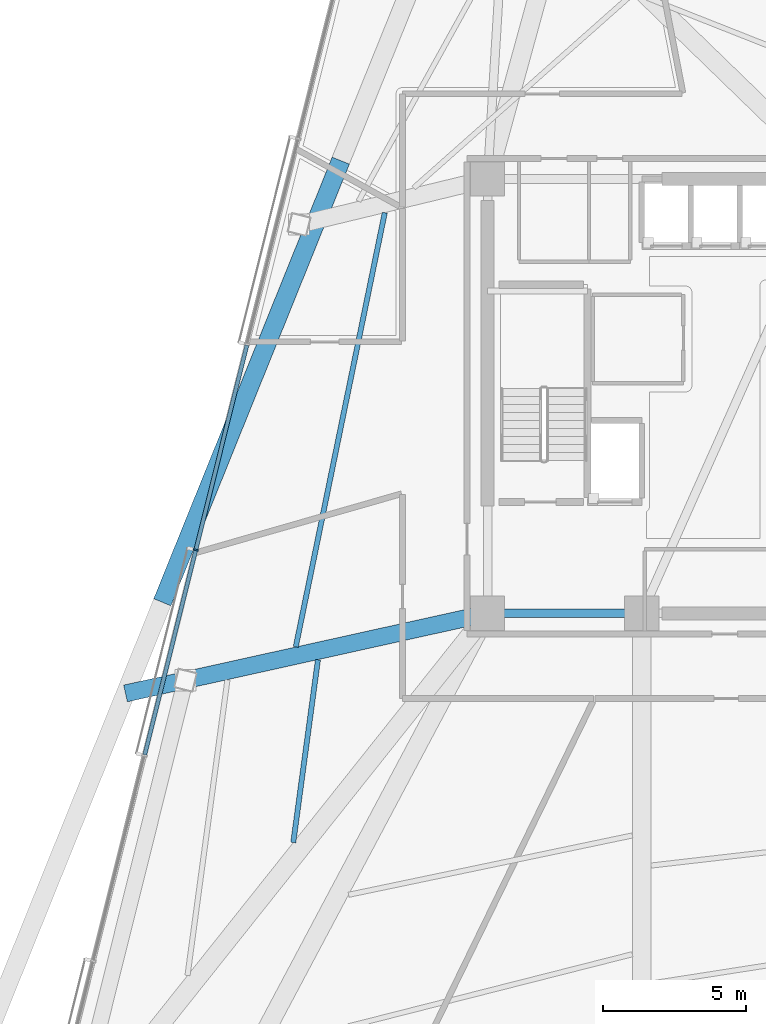
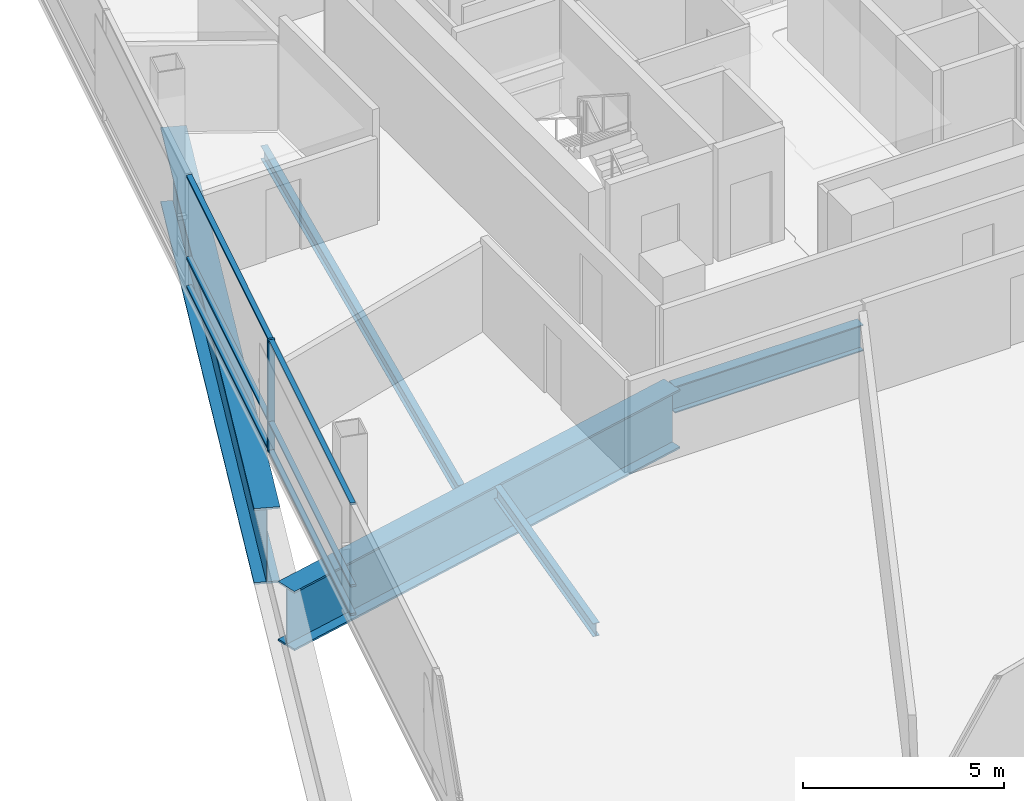
# One storey, part 4 of 21: 7 members, 5 beams, 1 element without a shape of its own.
"""IFC4 building model written with IfcOpenShell, lengths in metres."""

from ifc_helpers import new_model, si_unit, direction, frame, origin, origin_2d, place, context, subcontext, project, spatial, rectangle, i_section, extrude, material, layer, layer_set, material_profile, profile_set, type_object, element, aggregate, save


model = new_model("IFC4")

# Units and contexts
model_context = context("Model", 3, precision=1e-05, world=origin(), true_north=direction((0.0, 1.0)))
body_context = subcontext(model_context, "Body", "Model", "MODEL_VIEW")
ifc_project = project(units=[si_unit("LENGTHUNIT", "METRE"), si_unit("AREAUNIT", "SQUARE_METRE"), si_unit("VOLUMEUNIT", "CUBIC_METRE"), si_unit("PLANEANGLEUNIT", "RADIAN"), si_unit("MASSUNIT", "GRAM", prefix="KILO")], contexts=[model_context])

# Site, building, storey
site_placement = place(None, origin())
site = spatial("IfcSite", under=ifc_project, at=site_placement, CompositionType="ELEMENT")
building_placement = place(site_placement, origin())
building = spatial("IfcBuilding", under=site, at=building_placement, Name="Tharavind Bronze Gate", CompositionType="ELEMENT")
storey_placement = place(building_placement, frame((0.0, 0.0, 86.10009765625)))
storey = spatial("IfcBuildingStorey", under=building, at=storey_placement, Name="L21", CompositionType="ELEMENT", Elevation=86.10009765625)

# Curtain wall, members
ifc_material_1 = material(Name="Anodised Bronze Aluminium", Category="aluminium")
ifc_layer = layer(ifc_material_1, 0.219970703125)
ifc_layer_set = layer_set([ifc_layer], Name="Anodised Bronze Aluminium")
curtain_wall_type = type_object("IfcCurtainWallType", Name="UNITISED CURTAIN WALL LOWER OFFICE", PredefinedType="USERDEFINED", material=ifc_layer_set)
curtain_wall_placement = place(storey_placement, origin())
curtain_wall = element("IfcCurtainWall", 1, at=curtain_wall_placement, inside=storey, type_object=curtain_wall_type, Name="L21 unitised curtain wall lower office CW-L21-S1", ObjectType="UNITISED CURTAIN WALL", PredefinedType="USERDEFINED")
member_type_1 = type_object("IfcMemberType", Name="CURTAIN WALL BRONZE MULLION 65X180", PredefinedType="MULLION", material=ifc_material_1)
member_1_placement = place(storey_placement, frame((-19.1083984375, -5.381591796875, 0.0), z_axis=(0.0, 0.0, 1.0), x_axis=(-0.2419218956, -0.970295726276, 0.0)))
member_1 = element("IfcMember", 2, at=member_1_placement, type_object=member_type_1, Name="CW-L21-S1 mullion 5", PredefinedType="MULLION", context=body_context, shape_type="SweptSolid", body=[
    extrude(rectangle(XDim=0.06494140625, YDim=0.179931640625, at=origin_2d()), origin(), (0.0, 0.0, 1.0), 3.409912109375),
])
member_type_2 = type_object("IfcMemberType", Name="CURTAIN WALL BRONZE TRANSOM 65X140", PredefinedType="USERDEFINED", material=ifc_material_1)
member_2_placement = place(storey_placement, frame((-18.21142578125, -1.78466796875, 0.0), z_axis=(0.0, 0.0, 1.0), x_axis=(-0.2419218956, -0.970295726276, 0.0)))
member_2 = element("IfcMember", 3, at=member_2_placement, type_object=member_type_2, Name="CW-L21-S1 transom TB4", ObjectType="TRANSOM", PredefinedType="USERDEFINED", context=body_context, shape_type="SweptSolid", body=[
    extrude(rectangle(XDim=7.361083984375, YDim=0.139892578125, at=origin_2d()), origin(), (0.0, 0.0, 1.0), 0.06494140625),
])
member_3_placement = place(storey_placement, frame((-18.21142578125, -1.78466796875, 0.867431640625), z_axis=(0.0, 0.0, 1.0), x_axis=(-0.2419218956, -0.970295726276, 0.0)))
member_3 = element("IfcMember", 4, at=member_3_placement, type_object=member_type_2, Name="CW-L21-S1 transom TS4", ObjectType="TRANSOM", PredefinedType="USERDEFINED", context=body_context, shape_type="SweptSolid", body=[
    extrude(rectangle(XDim=7.361083984375, YDim=0.139892578125, at=origin_2d()), origin(), (0.0, 0.0, 1.0), 0.06494140625),
])
member_4_placement = place(storey_placement, frame((-18.21142578125, -1.78466796875, 3.344970703125), z_axis=(0.0, 0.0, 1.0), x_axis=(-0.2419218956, -0.970295726276, 0.0)))
member_4 = element("IfcMember", 5, at=member_4_placement, type_object=member_type_2, Name="CW-L21-S1 transom TT4", ObjectType="TRANSOM", PredefinedType="USERDEFINED", context=body_context, shape_type="SweptSolid", body=[
    extrude(rectangle(XDim=7.361083984375, YDim=0.139892578125, at=origin_2d()), origin(), (0.0, 0.0, 1.0), 0.06494140625),
])
member_5_placement = place(storey_placement, frame((-20.005126953125, -8.978759765625, 0.0), z_axis=(0.0, 0.0, 1.0), x_axis=(-0.2419218956, -0.970295726276, 0.0)))
member_5 = element("IfcMember", 6, at=member_5_placement, type_object=member_type_2, Name="CW-L21-S1 transom TB5", ObjectType="TRANSOM", PredefinedType="USERDEFINED", context=body_context, shape_type="SweptSolid", body=[
    extrude(rectangle(XDim=7.361083984375, YDim=0.139892578125, at=origin_2d()), origin(), (0.0, 0.0, 1.0), 0.06494140625),
])
member_6_placement = place(storey_placement, frame((-20.005126953125, -8.978759765625, 0.867431640625), z_axis=(0.0, 0.0, 1.0), x_axis=(-0.2419218956, -0.970295726276, 0.0)))
member_6 = element("IfcMember", 7, at=member_6_placement, type_object=member_type_2, Name="CW-L21-S1 transom TS5", ObjectType="TRANSOM", PredefinedType="USERDEFINED", context=body_context, shape_type="SweptSolid", body=[
    extrude(rectangle(XDim=7.361083984375, YDim=0.139892578125, at=origin_2d()), origin(), (0.0, 0.0, 1.0), 0.06494140625),
])
member_7_placement = place(storey_placement, frame((-20.005126953125, -8.978759765625, 3.344970703125), z_axis=(0.0, 0.0, 1.0), x_axis=(-0.2419218956, -0.970295726276, 0.0)))
member_7 = element("IfcMember", 8, at=member_7_placement, type_object=member_type_2, Name="CW-L21-S1 transom TT5", ObjectType="TRANSOM", PredefinedType="USERDEFINED", context=body_context, shape_type="SweptSolid", body=[
    extrude(rectangle(XDim=7.361083984375, YDim=0.139892578125, at=origin_2d()), origin(), (0.0, 0.0, 1.0), 0.06494140625),
])
aggregate(curtain_wall, [member_1, member_2, member_3, member_4, member_5, member_6, member_7])

# Beams
ifc_material_2 = material(Name="Steel S355", Category="steel")
ifc_material_profile_1 = material_profile(ifc_material_2, i_section(OverallWidth=0.300048828125, OverallDepth=0.800048828125, WebThickness=0.017578125, FlangeThickness=0.032958984375, at=origin_2d()), Name="HE800B")
ifc_profile_set_1 = profile_set([ifc_material_profile_1], Name="Steel S355")
beam_type_1 = type_object("IfcBeamType", Name="RING GIRDER HE800B", PredefinedType="USERDEFINED", material=ifc_profile_set_1)
beam_1_placement = place(storey_placement, frame((-8.89990234375, -7.60009765625, -0.590087890625), z_axis=(1.0, 0.0, 0.0), x_axis=(0.0, 1.0, 0.0)))
element("IfcBeam", 9, at=beam_1_placement, inside=storey, type_object=beam_type_1, Name="L21 ring girder he800b BM-L21-CR1", ObjectType="GIRDER", PredefinedType="USERDEFINED", context=body_context, shape_type="SweptSolid", body=[
    extrude(i_section(OverallWidth=0.300048828125, OverallDepth=0.800048828125, WebThickness=0.017578125, FlangeThickness=0.032958984375, at=origin_2d()), origin(), (0.0, 0.0, 1.0), 5.39990234375),
])
ifc_material_profile_2 = material_profile(ifc_material_2, i_section(OverallWidth=0.179931640625, OverallDepth=0.39990234375, WebThickness=0.008544921875, FlangeThickness=0.013427734375, at=origin_2d()), Name="IPE400")
ifc_profile_set_2 = profile_set([ifc_material_profile_2], Name="Steel S355")
beam_type_2 = type_object("IfcBeamType", Name="SECONDARY FLOOR JOIST IPE400", PredefinedType="JOIST", material=ifc_profile_set_2)
beam_2_placement = place(storey_placement, frame((-12.49609375, 6.4189453125, -0.39013671875), z_axis=(-0.200866675056, -0.979618588458, 0.0), x_axis=(0.979618588458, -0.200866675056, 0.0)))
element("IfcBeam", 10, at=beam_2_placement, inside=storey, type_object=beam_type_2, Name="L21 secondary floor joist ipe400 BM-L21-JSTA02", PredefinedType="JOIST", context=body_context, shape_type="SweptSolid", body=[
    extrude(i_section(OverallWidth=0.179931640625, OverallDepth=0.39990234375, WebThickness=0.008544921875, FlangeThickness=0.013427734375, at=origin_2d()), origin(), (0.0, 0.0, 1.0), 15.509033203125),
])
beam_3_placement = place(storey_placement, frame((-14.834716796875, -9.22412109375, -0.39013671875), z_axis=(-0.133843591928, -0.991002468665, 0.0), x_axis=(0.991002468665, -0.133843591928, 0.0)))
element("IfcBeam", 11, at=beam_3_placement, inside=storey, type_object=beam_type_2, Name="L21 secondary floor joist ipe400 BM-L21-JSTA03", PredefinedType="JOIST", context=body_context, shape_type="SweptSolid", body=[
    extrude(i_section(OverallWidth=0.179931640625, OverallDepth=0.39990234375, WebThickness=0.008544921875, FlangeThickness=0.013427734375, at=origin_2d()), origin(), (0.0, 0.0, 1.0), 6.45361328125),
])
ifc_material_3 = material(Name="Steel S460", Category="steel")
ifc_material_profile_3 = material_profile(ifc_material_3, i_section(OverallWidth=0.60009765625, OverallDepth=1.800048828125, WebThickness=0.031982421875, FlangeThickness=0.054931640625, at=origin_2d()), Name="PG1800X600")
ifc_profile_set_3 = profile_set([ifc_material_profile_3], Name="Steel S460")
beam_type_3 = type_object("IfcBeamType", Name="TRANSFER GIRDER 1800X600", PredefinedType="USERDEFINED", material=ifc_profile_set_3)
beam_4_placement = place(storey_placement, frame((-8.89990234375, -7.60009765625, -1.090087890625), z_axis=(-0.976386744327, -0.216029918072, 0.0), x_axis=(0.216029918072, -0.976386744327, 0.0)))
element("IfcBeam", 12, at=beam_4_placement, inside=storey, type_object=beam_type_3, Name="L21 transfer girder 1800x600 BM-L21-XFR03", ObjectType="TRANSFER GIRDER", PredefinedType="USERDEFINED", context=body_context, shape_type="SweptSolid", body=[
    extrude(i_section(OverallWidth=0.60009765625, OverallDepth=1.800048828125, WebThickness=0.031982421875, FlangeThickness=0.054931640625, at=origin_2d()), origin(), (0.0, 0.0, 1.0), 12.97607421875),
])
ifc_material_profile_4 = material_profile(ifc_material_3, i_section(OverallWidth=0.64990234375, OverallDepth=2.300048828125, WebThickness=0.035888671875, FlangeThickness=0.05810546875, at=origin_2d()), Name="PG2300X650")
ifc_profile_set_4 = profile_set([ifc_material_profile_4], Name="Steel S460")
beam_type_4 = type_object("IfcBeamType", Name="TRANSFER GIRDER 2300X650", PredefinedType="USERDEFINED", material=ifc_profile_set_4)
beam_5_placement = place(storey_placement, frame((-14.036376953125, 8.2421875, -1.340087890625), z_axis=(-0.374613188644, -0.927181189894, 0.0), x_axis=(0.927181189894, -0.374613188644, 0.0)))
element("IfcBeam", 13, at=beam_5_placement, inside=storey, type_object=beam_type_4, Name="L21 transfer girder 2300x650 BM-L21-LRG02", ObjectType="TRANSFER GIRDER", PredefinedType="USERDEFINED", context=body_context, shape_type="SweptSolid", body=[
    extrude(i_section(OverallWidth=0.64990234375, OverallDepth=2.300048828125, WebThickness=0.035888671875, FlangeThickness=0.05810546875, at=origin_2d()), origin(), (0.0, 0.0, 1.0), 16.6689453125),
])

save(model, "model.ifc")
